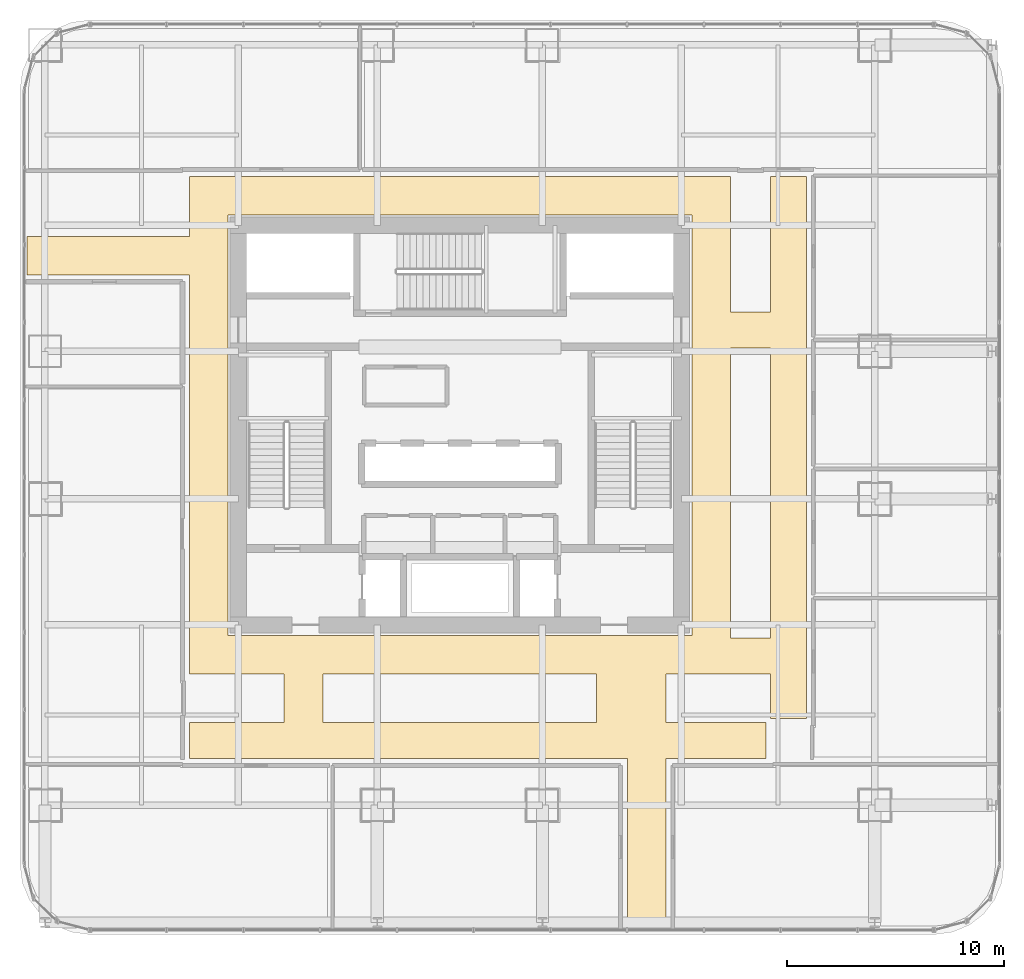
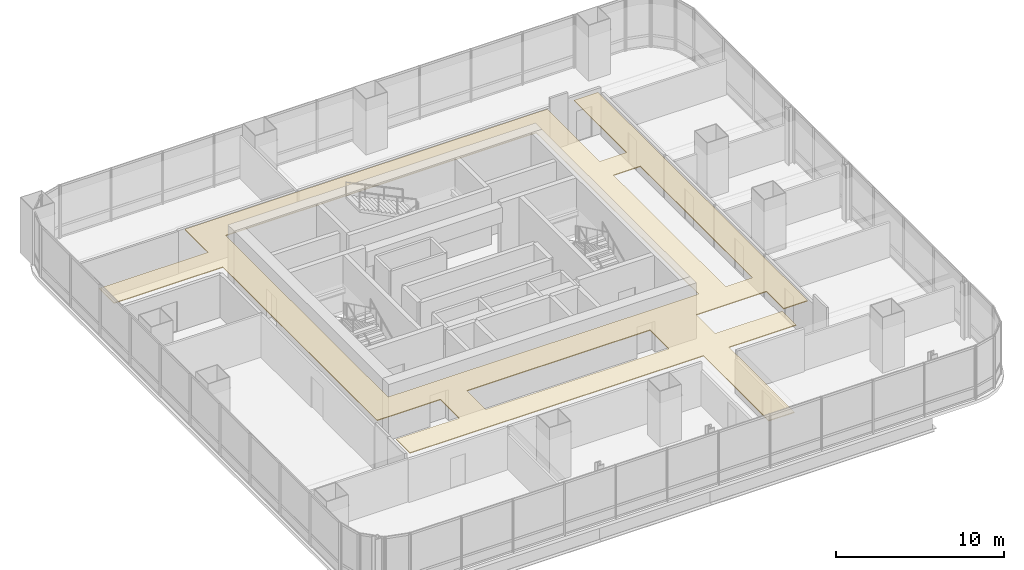
# One storey, part 32 of 34: 1 covering.
"""IFC4 building model written with IfcOpenShell, lengths in metres."""

from ifc_helpers import new_model, si_unit, direction, frame, origin, place, context, subcontext, project, spatial, polyline, outline, extrude, material, layer, layer_set, type_object, element, save


model = new_model("IFC4")

# Units and contexts
model_context = context("Model", 3, precision=1e-05, world=origin(), true_north=direction((0.0, 1.0)))
body_context = subcontext(model_context, "Body", "Model", "MODEL_VIEW")
ifc_project = project(units=[si_unit("LENGTHUNIT", "METRE"), si_unit("AREAUNIT", "SQUARE_METRE"), si_unit("VOLUMEUNIT", "CUBIC_METRE"), si_unit("PLANEANGLEUNIT", "RADIAN"), si_unit("MASSUNIT", "GRAM", prefix="KILO")], contexts=[model_context])

# Site, building, storey
site_placement = place(None, origin())
site = spatial("IfcSite", under=ifc_project, at=site_placement, CompositionType="ELEMENT")
building_placement = place(site_placement, origin())
building = spatial("IfcBuilding", under=site, at=building_placement, Name="Punatoya Terracotta Tower", CompositionType="ELEMENT")
storey_placement = place(building_placement, frame((0.0, 0.0, 84.89990234375)))
storey = spatial("IfcBuildingStorey", under=building, at=storey_placement, Name="L19", CompositionType="ELEMENT", Elevation=84.89990234375)

# Covering
ifc_material = material(Name="Acoustic Mineral Fibre Ceiling")
ifc_layer = layer(ifc_material, 0.06005859375)
ifc_layer_set = layer_set([ifc_layer], Name="Acoustic Mineral Fibre Ceiling")
covering_type = type_object("IfcCoveringType", Name="COV-CEIL-60", PredefinedType="CEILING", material=ifc_layer_set)
covering_placement = place(storey_placement, frame((0.0, 0.0, 3.2001953125)))
element("IfcCovering", 1, at=covering_placement, inside=storey, type_object=covering_type, Name="L19 Ring Circulation Corridor Acoustic Ceiling", PredefinedType="CEILING", context=body_context, shape_type="SweptSolid", body=[
    extrude(outline(polyline([(14.10009765625, -13.699951171875), (9.47998046875, -13.699951171875), (9.47998046875, -11.449951171875), (14.300048828125, -11.449951171875), (14.300048828125, -13.5), (15.949951171875, -13.5), (15.949951171875, 11.449951171875), (14.300048828125, 11.449951171875), (14.300048828125, 5.199951171875), (12.449951171875, 5.199951171875), (12.449951171875, 11.449951171875), (-12.449951171875, 11.449951171875), (-12.449951171875, 8.679931640625), (-19.929931640625, 8.679931640625), (-19.929931640625, 6.919921875), (-12.449951171875, 6.919921875), (-12.449951171875, -11.449951171875), (-8.10009765625, -11.449951171875), (-8.10009765625, -13.699951171875), (-12.449951171875, -13.699951171875), (-12.449951171875, -15.35009765625), (7.719970703125, -15.35009765625), (7.719970703125, -23.1298828125), (9.47998046875, -23.1298828125), (9.47998046875, -15.35009765625), (14.10009765625, -15.35009765625), (14.10009765625, -13.699951171875)]), holes=[polyline([(12.449951171875, 3.550048828125), (14.300048828125, 3.550048828125), (14.300048828125, -9.800048828125), (12.449951171875, -9.800048828125), (12.449951171875, 3.550048828125)]), polyline([(10.679931640625, 9.679931640625), (10.679931640625, -9.679931640625), (-10.679931640625, -9.679931640625), (-10.679931640625, 9.679931640625), (10.679931640625, 9.679931640625)]), polyline([(6.300048828125, -13.699951171875), (-6.300048828125, -13.699951171875), (-6.300048828125, -11.449951171875), (6.300048828125, -11.449951171875), (6.300048828125, -13.699951171875)])]), origin(), (0.0, 0.0, 1.0), 0.059814453125),
])

save(model, "model.ifc")
